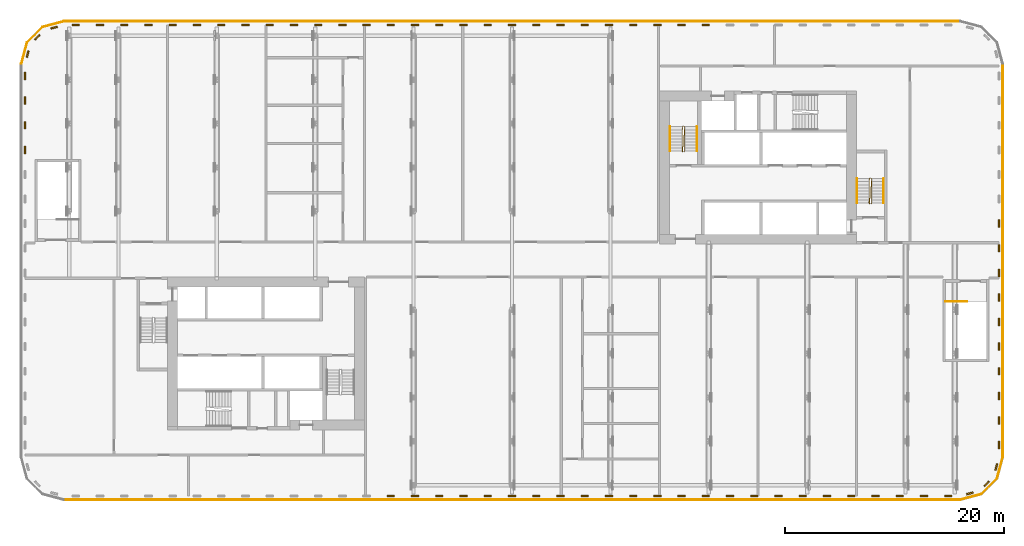
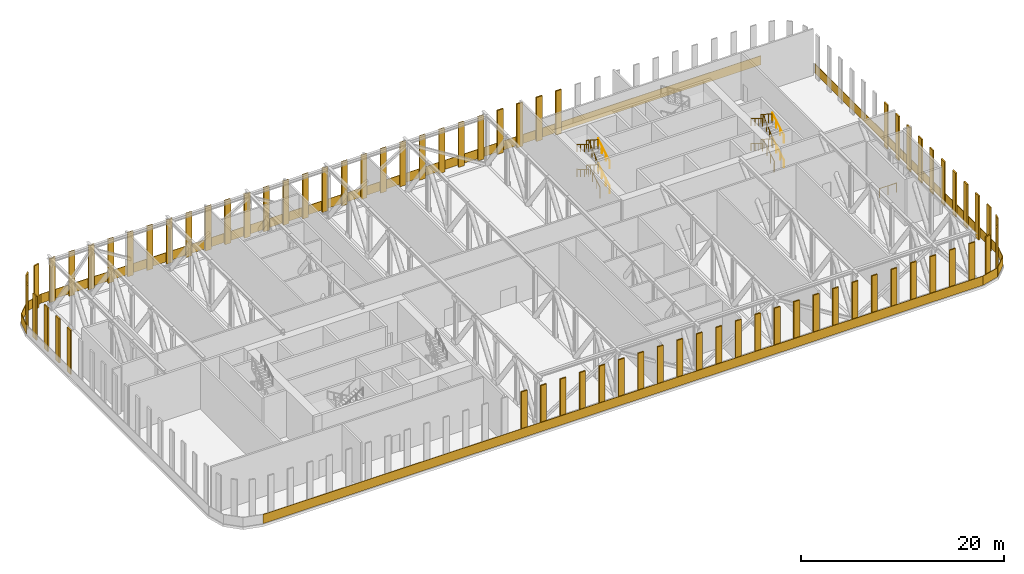
# One storey, part 25 of 26: 71 shading devices, 20 railings.
"""IFC4 building model written with IfcOpenShell, lengths in metres."""

from ifc_helpers import new_model, si_unit, direction, frame, origin, origin_2d, place, context, subcontext, project, spatial, polyline, rectangle, circle, outline, extrude, material, type_object, element, save


model = new_model("IFC4")

# Units and contexts
model_context = context("Model", 3, precision=1e-05, world=origin(), true_north=direction((0.0, 1.0)))
body_context = subcontext(model_context, "Body", "Model", "MODEL_VIEW")
ifc_project = project(units=[si_unit("LENGTHUNIT", "METRE"), si_unit("AREAUNIT", "SQUARE_METRE"), si_unit("VOLUMEUNIT", "CUBIC_METRE"), si_unit("PLANEANGLEUNIT", "RADIAN"), si_unit("MASSUNIT", "GRAM", prefix="KILO")], contexts=[model_context])

# Site, building, storey
site_placement = place(None, origin())
site = spatial("IfcSite", under=ifc_project, at=site_placement, CompositionType="ELEMENT")
building_placement = place(site_placement, origin())
building = spatial("IfcBuilding", under=site, at=building_placement, Name="Kajstack Hotel Tower", CompositionType="ELEMENT")
storey_placement = place(building_placement, frame((0.0, 0.0, 47.0)))
storey = spatial("IfcBuildingStorey", under=building, at=storey_placement, Name="L07", CompositionType="ELEMENT", Elevation=47.0)

# Railings
ifc_material = material(Name="Steel S355J2", Category="steel")
railing_type_1 = type_object("IfcRailingType", Name="GUARD-FACADE", PredefinedType="GUARDRAIL", material=ifc_material)
railing_1_placement = place(storey_placement, frame((-40.984130859375, -21.8798828125, 0.0)))
element("IfcRailing", 1, at=railing_1_placement, inside=storey, type_object=railing_type_1, Name="Guard L07 slab edge 03", PredefinedType="GUARDRAIL", context=body_context, shape_type="SweptSolid", body=[
    extrude(outline(polyline([(81.96826171875, 0.030029296875), (81.96826171875, -0.030029296875), (0.0, -0.030029296875), (0.0, 0.030029296875), (81.96826171875, 0.030029296875)])), origin(), (0.0, 0.0, 1.0), 1.10009765625),
])
railing_2_placement = place(storey_placement, frame((40.984130859375, -21.8798828125, 0.0)))
element("IfcRailing", 2, at=railing_2_placement, inside=storey, type_object=railing_type_1, Name="Guard L07 slab edge 04", PredefinedType="GUARDRAIL", context=body_context, shape_type="SweptSolid", body=[
    extrude(outline(polyline([(1.946044921875, 0.552490234375), (1.961669921875, 0.494384765625), (0.0078125, -0.029052734375), (-0.0078125, 0.029052734375), (1.946044921875, 0.552490234375)])), origin(), (0.0, 0.0, 1.0), 1.10009765625),
])
railing_3_placement = place(storey_placement, frame((42.93798828125, -21.3564453125, 0.0)))
element("IfcRailing", 3, at=railing_3_placement, inside=storey, type_object=railing_type_1, Name="Guard L07 slab edge 05", PredefinedType="GUARDRAIL", context=body_context, shape_type="SweptSolid", body=[
    extrude(outline(polyline([(1.397216796875, 1.439697265625), (1.439697265625, 1.397216796875), (0.021240234375, -0.021240234375), (-0.021240234375, 0.021240234375), (1.397216796875, 1.439697265625)])), origin(), (0.0, 0.0, 1.0), 1.10009765625),
])
railing_4_placement = place(storey_placement, frame((44.3564453125, -19.93798828125, 0.0)))
element("IfcRailing", 4, at=railing_4_placement, inside=storey, type_object=railing_type_1, Name="Guard L07 slab edge 06", PredefinedType="GUARDRAIL", context=body_context, shape_type="SweptSolid", body=[
    extrude(outline(polyline([(0.494384765625, 1.961669921875), (0.552490234375, 1.946044921875), (0.029052734375, -0.0078125), (-0.029052734375, 0.0078125), (0.494384765625, 1.961669921875)])), origin(), (0.0, 0.0, 1.0), 1.10009765625),
])
railing_5_placement = place(storey_placement, frame((44.8798828125, -17.984130859375, 0.0)))
element("IfcRailing", 5, at=railing_5_placement, inside=storey, type_object=railing_type_1, Name="Guard L07 slab edge 07", PredefinedType="GUARDRAIL", context=body_context, shape_type="SweptSolid", body=[
    extrude(outline(polyline([(-0.030029296875, 35.96826171875), (0.030029296875, 35.96826171875), (0.030029296875, 0.0), (-0.030029296875, 0.0), (-0.030029296875, 35.96826171875)])), origin(), (0.0, 0.0, 1.0), 1.10009765625),
])
railing_6_placement = place(storey_placement, frame((40.984130859375, 21.8798828125, 0.0)))
element("IfcRailing", 6, at=railing_6_placement, inside=storey, type_object=railing_type_1, Name="Guard L07 slab edge 11", PredefinedType="GUARDRAIL", context=body_context, shape_type="SweptSolid", body=[
    extrude(outline(polyline([(-81.96826171875, -0.030029296875), (-81.96826171875, 0.030029296875), (0.0, 0.030029296875), (0.0, -0.030029296875), (-81.96826171875, -0.030029296875)])), origin(), (0.0, 0.0, 1.0), 1.10009765625),
])
railing_7_placement = place(storey_placement, frame((-40.984130859375, 21.8798828125, 0.0)))
element("IfcRailing", 7, at=railing_7_placement, inside=storey, type_object=railing_type_1, Name="Guard L07 slab edge 12", PredefinedType="GUARDRAIL", context=body_context, shape_type="SweptSolid", body=[
    extrude(outline(polyline([(-1.946044921875, -0.552490234375), (-1.961669921875, -0.494384765625), (-0.0078125, 0.029052734375), (0.0078125, -0.029052734375), (-1.946044921875, -0.552490234375)])), origin(), (0.0, 0.0, 1.0), 1.10009765625),
])
railing_8_placement = place(storey_placement, frame((-42.93798828125, 21.3564453125, 0.0)))
element("IfcRailing", 8, at=railing_8_placement, inside=storey, type_object=railing_type_1, Name="Guard L07 slab edge 13", PredefinedType="GUARDRAIL", context=body_context, shape_type="SweptSolid", body=[
    extrude(outline(polyline([(-1.397216796875, -1.439697265625), (-1.439697265625, -1.397216796875), (-0.021240234375, 0.021240234375), (0.021240234375, -0.021240234375), (-1.397216796875, -1.439697265625)])), origin(), (0.0, 0.0, 1.0), 1.10009765625),
])
railing_9_placement = place(storey_placement, frame((-44.3564453125, 19.93798828125, 0.0)))
element("IfcRailing", 9, at=railing_9_placement, inside=storey, type_object=railing_type_1, Name="Guard L07 slab edge 14", PredefinedType="GUARDRAIL", context=body_context, shape_type="SweptSolid", body=[
    extrude(outline(polyline([(-0.494384765625, -1.961669921875), (-0.552490234375, -1.946044921875), (-0.029052734375, 0.0078125), (0.029052734375, -0.0078125), (-0.494384765625, -1.961669921875)])), origin(), (0.0, 0.0, 1.0), 1.10009765625),
])
railing_type_2 = type_object("IfcRailingType", Name="Stair guard 1100", PredefinedType="GUARDRAIL", material=ifc_material)
railing_10_placement = place(storey_placement, frame((32.85009765625, 5.199951171875, 0.0)))
element("IfcRailing", 10, at=railing_10_placement, inside=storey, type_object=railing_type_2, Name="L07 E1 stair guard 1", PredefinedType="GUARDRAIL", context=body_context, shape_type="SweptSolid", body=[
    extrude(circle(Radius=0.02392578125, at=origin_2d()), frame((0.0, 0.0, 1.076171875), z_axis=(0.275041040955, 0.276389281352, 0.920848191041), x_axis=(-0.708833529934, 0.705375805398, 0.0)), (0.0, 0.0, 1.0), 0.18115234375),
    extrude(circle(Radius=0.02392578125, at=origin_2d()), frame((0.0498046875, 0.050048828125, 1.24267578125), z_axis=(0.0, 0.859305625298, 0.511462454469), x_axis=(-1.0, 0.0, 0.0)), (0.0, 0.0, 1.0), 2.606689453125),
    extrude(circle(Radius=0.02392578125, at=origin_2d()), frame((0.0498046875, 2.2900390625, 2.576171875), z_axis=(-0.970072785993, 0.242814311512, 0.0), x_axis=(-0.242814311512, -0.970072785993, 0.0)), (0.0, 0.0, 1.0), 0.2060546875),
    extrude(circle(Radius=0.02392578125, at=origin_2d()), frame((-0.150146484375, 2.340087890625, 2.576171875), z_axis=(-0.01827916782, -0.836383386104, 0.547840034565), x_axis=(0.999761264773, -0.0218497931, 0.0)), (0.0, 0.0, 1.0), 2.738037109375),
    extrude(circle(Radius=0.02392578125, at=origin_2d()), frame((-0.2001953125, 0.050048828125, 4.076171875), z_axis=(0.707106781187, -0.707106781187, 0.0), x_axis=(0.707106781187, 0.707106781187, 0.0)), (0.0, 0.0, 1.0), 0.07080078125),
    extrude(circle(Radius=0.02392578125, at=origin_2d()), frame((-0.150146484375, 0.0, 4.076171875), z_axis=(0.072845657923, 0.83430069758, 0.546475851378), x_axis=(-0.996209839609, 0.086982500921, 0.0)), (0.0, 0.0, 1.0), 2.744873046875),
    extrude(circle(Radius=0.02392578125, at=origin_2d()), frame((0.0498046875, 2.2900390625, 5.576171875), z_axis=(-0.970072785993, 0.242814311512, 0.0), x_axis=(-0.242814311512, -0.970072785993, 0.0)), (0.0, 0.0, 1.0), 0.2060546875),
    extrude(circle(Radius=0.02392578125, at=origin_2d()), frame((-0.150146484375, 2.340087890625, 5.576171875), z_axis=(-0.01827916782, -0.836383386104, 0.547840034565), x_axis=(0.999761264773, -0.0218497931, 0.0)), (0.0, 0.0, 1.0), 2.738037109375),
    extrude(circle(Radius=0.02099609375, at=origin_2d()), origin(), (0.0, 0.0, 1.0), 1.052001953125),
    extrude(circle(Radius=0.02099609375, at=origin_2d()), frame((0.0498046875, 0.050048828125, 0.166748046875)), (0.0, 0.0, 1.0), 1.052001953125),
    extrude(circle(Radius=0.02099609375, at=origin_2d()), frame((0.0498046875, 0.796630859375, 0.611083984375)), (0.0, 0.0, 1.0), 1.052001953125),
    extrude(circle(Radius=0.02099609375, at=origin_2d()), frame((0.0498046875, 1.54345703125, 1.0556640625)), (0.0, 0.0, 1.0), 1.052001953125),
    extrude(circle(Radius=0.02099609375, at=origin_2d()), frame((0.0498046875, 2.2900390625, 1.5)), (0.0, 0.0, 1.0), 1.052001953125),
    extrude(circle(Radius=0.02099609375, at=origin_2d()), frame((-0.150146484375, 2.340087890625, 1.5)), (0.0, 0.0, 1.0), 1.052001953125),
    extrude(circle(Radius=0.02099609375, at=origin_2d()), frame((-0.166748046875, 1.57666015625, 2.0)), (0.0, 0.0, 1.0), 1.052001953125),
    extrude(circle(Radius=0.02099609375, at=origin_2d()), frame((-0.18359375, 0.8134765625, 2.5)), (0.0, 0.0, 1.0), 1.052001953125),
    extrude(circle(Radius=0.02099609375, at=origin_2d()), frame((-0.2001953125, 0.050048828125, 3.0)), (0.0, 0.0, 1.0), 1.052001953125),
    extrude(circle(Radius=0.02099609375, at=origin_2d()), frame((-0.150146484375, 0.0, 3.0)), (0.0, 0.0, 1.0), 1.052001953125),
    extrude(circle(Radius=0.02099609375, at=origin_2d()), frame((-0.08349609375, 0.763427734375, 3.5)), (0.0, 0.0, 1.0), 1.052001953125),
    extrude(circle(Radius=0.02099609375, at=origin_2d()), frame((-0.016845703125, 1.526611328125, 4.0)), (0.0, 0.0, 1.0), 1.052001953125),
    extrude(circle(Radius=0.02099609375, at=origin_2d()), frame((0.0498046875, 2.2900390625, 4.5)), (0.0, 0.0, 1.0), 1.052001953125),
    extrude(circle(Radius=0.02099609375, at=origin_2d()), frame((-0.150146484375, 2.340087890625, 4.5)), (0.0, 0.0, 1.0), 1.052001953125),
    extrude(circle(Radius=0.02099609375, at=origin_2d()), frame((-0.166748046875, 1.57666015625, 5.0)), (0.0, 0.0, 1.0), 1.052001953125),
    extrude(circle(Radius=0.02099609375, at=origin_2d()), frame((-0.18359375, 0.8134765625, 5.5)), (0.0, 0.0, 1.0), 1.052001953125),
    extrude(circle(Radius=0.02099609375, at=origin_2d()), frame((-0.2001953125, 0.050048828125, 6.0)), (0.0, 0.0, 1.0), 1.052001953125),
])
railing_11_placement = place(storey_placement, frame((15.75, 9.949951171875, 0.0)))
element("IfcRailing", 11, at=railing_11_placement, inside=storey, type_object=railing_type_2, Name="L07 E2 stair guard 1", PredefinedType="GUARDRAIL", context=body_context, shape_type="SweptSolid", body=[
    extrude(circle(Radius=0.02392578125, at=origin_2d()), frame((0.0, 0.0, 1.076171875), z_axis=(0.27628659633, 0.27628659633, 0.920506074601), x_axis=(-0.707106781187, 0.707106781187, 0.0)), (0.0, 0.0, 1.0), 0.18115234375),
    extrude(circle(Radius=0.02392578125, at=origin_2d()), frame((0.050048828125, 0.050048828125, 1.24267578125), z_axis=(0.0, 0.859305625298, 0.511462454469), x_axis=(-1.0, 0.0, 0.0)), (0.0, 0.0, 1.0), 2.606689453125),
    extrude(circle(Radius=0.02392578125, at=origin_2d()), frame((0.050048828125, 2.2900390625, 2.576171875), z_axis=(-0.970072785993, 0.242814311512, 0.0), x_axis=(-0.242814311512, -0.970072785993, 0.0)), (0.0, 0.0, 1.0), 0.2060546875),
    extrude(circle(Radius=0.02392578125, at=origin_2d()), frame((-0.14990234375, 2.340087890625, 2.576171875), z_axis=(-0.01827916782, -0.836383386104, 0.547840034565), x_axis=(0.999761264773, -0.0218497931, 0.0)), (0.0, 0.0, 1.0), 2.738037109375),
    extrude(circle(Radius=0.02392578125, at=origin_2d()), frame((-0.199951171875, 0.050048828125, 4.076171875), z_axis=(0.707106781187, -0.707106781187, 0.0), x_axis=(0.707106781187, 0.707106781187, 0.0)), (0.0, 0.0, 1.0), 0.07080078125),
    extrude(circle(Radius=0.02392578125, at=origin_2d()), frame((-0.14990234375, 0.0, 4.076171875), z_axis=(0.072845657923, 0.83430069758, 0.546475851378), x_axis=(-0.996209839609, 0.086982500921, 0.0)), (0.0, 0.0, 1.0), 2.744873046875),
    extrude(circle(Radius=0.02392578125, at=origin_2d()), frame((0.050048828125, 2.2900390625, 5.576171875), z_axis=(-0.970072785993, 0.242814311512, 0.0), x_axis=(-0.242814311512, -0.970072785993, 0.0)), (0.0, 0.0, 1.0), 0.2060546875),
    extrude(circle(Radius=0.02392578125, at=origin_2d()), frame((-0.14990234375, 2.340087890625, 5.576171875), z_axis=(-0.01827916782, -0.836383386104, 0.547840034565), x_axis=(0.999761264773, -0.0218497931, 0.0)), (0.0, 0.0, 1.0), 2.738037109375),
    extrude(circle(Radius=0.02099609375, at=origin_2d()), origin(), (0.0, 0.0, 1.0), 1.052001953125),
    extrude(circle(Radius=0.02099609375, at=origin_2d()), frame((0.050048828125, 0.050048828125, 0.166748046875)), (0.0, 0.0, 1.0), 1.052001953125),
    extrude(circle(Radius=0.02099609375, at=origin_2d()), frame((0.050048828125, 0.796630859375, 0.611083984375)), (0.0, 0.0, 1.0), 1.052001953125),
    extrude(circle(Radius=0.02099609375, at=origin_2d()), frame((0.050048828125, 1.54345703125, 1.0556640625)), (0.0, 0.0, 1.0), 1.052001953125),
    extrude(circle(Radius=0.02099609375, at=origin_2d()), frame((0.050048828125, 2.2900390625, 1.5)), (0.0, 0.0, 1.0), 1.052001953125),
    extrude(circle(Radius=0.02099609375, at=origin_2d()), frame((-0.14990234375, 2.340087890625, 1.5)), (0.0, 0.0, 1.0), 1.052001953125),
    extrude(circle(Radius=0.02099609375, at=origin_2d()), frame((-0.16650390625, 1.57666015625, 2.0)), (0.0, 0.0, 1.0), 1.052001953125),
    extrude(circle(Radius=0.02099609375, at=origin_2d()), frame((-0.183349609375, 0.8134765625, 2.5)), (0.0, 0.0, 1.0), 1.052001953125),
    extrude(circle(Radius=0.02099609375, at=origin_2d()), frame((-0.199951171875, 0.050048828125, 3.0)), (0.0, 0.0, 1.0), 1.052001953125),
    extrude(circle(Radius=0.02099609375, at=origin_2d()), frame((-0.14990234375, 0.0, 3.0)), (0.0, 0.0, 1.0), 1.052001953125),
    extrude(circle(Radius=0.02099609375, at=origin_2d()), frame((-0.083251953125, 0.763427734375, 3.5)), (0.0, 0.0, 1.0), 1.052001953125),
    extrude(circle(Radius=0.02099609375, at=origin_2d()), frame((-0.0166015625, 1.526611328125, 4.0)), (0.0, 0.0, 1.0), 1.052001953125),
    extrude(circle(Radius=0.02099609375, at=origin_2d()), frame((0.050048828125, 2.2900390625, 4.5)), (0.0, 0.0, 1.0), 1.052001953125),
    extrude(circle(Radius=0.02099609375, at=origin_2d()), frame((-0.14990234375, 2.340087890625, 4.5)), (0.0, 0.0, 1.0), 1.052001953125),
    extrude(circle(Radius=0.02099609375, at=origin_2d()), frame((-0.16650390625, 1.57666015625, 5.0)), (0.0, 0.0, 1.0), 1.052001953125),
    extrude(circle(Radius=0.02099609375, at=origin_2d()), frame((-0.183349609375, 0.8134765625, 5.5)), (0.0, 0.0, 1.0), 1.052001953125),
    extrude(circle(Radius=0.02099609375, at=origin_2d()), frame((-0.199951171875, 0.050048828125, 6.0)), (0.0, 0.0, 1.0), 1.052001953125),
])
railing_12_placement = place(storey_placement, frame((39.64990234375, -3.75, 0.0)))
element("IfcRailing", 12, at=railing_12_placement, inside=storey, type_object=railing_type_2, Name="L07 P2 top well guard 1", PredefinedType="GUARDRAIL", context=body_context, shape_type="SweptSolid", body=[
    extrude(circle(Radius=0.02392578125, at=origin_2d()), frame((0.0, 0.0, 1.076171875), z_axis=(1.0, 0.0, 0.0), x_axis=(0.0, 1.0, 0.0)), (0.0, 0.0, 1.0), 1.9501953125),
    extrude(circle(Radius=0.02099609375, at=origin_2d()), origin(), (0.0, 0.0, 1.0), 1.052001953125),
    extrude(circle(Radius=0.02099609375, at=origin_2d()), frame((0.97509765625, 0.0, 0.0)), (0.0, 0.0, 1.0), 1.052001953125),
    extrude(circle(Radius=0.02099609375, at=origin_2d()), frame((1.9501953125, 0.0, 0.0)), (0.0, 0.0, 1.0), 1.052001953125),
])
railing_type_3 = type_object("IfcRailingType", Name="Stair handrail 900", PredefinedType="HANDRAIL", material=ifc_material)
railing_13_placement = place(storey_placement, frame((34.0, 5.25, 0.166748046875)))
element("IfcRailing", 13, at=railing_13_placement, inside=storey, type_object=railing_type_3, Name="L07 E1 stair handrail 1", PredefinedType="HANDRAIL", context=body_context, shape_type="SweptSolid", body=[
    extrude(circle(Radius=0.02392578125, at=origin_2d()), frame((0.0, 0.0, 0.8759765625), z_axis=(0.0, 0.859305625298, 0.511462454469), x_axis=(-1.0, 0.0, 0.0)), (0.0, 0.0, 1.0), 2.606689453125),
    extrude(circle(Radius=0.02099609375, at=origin_2d()), origin(), (0.0, 0.0, 1.0), 0.851806640625),
    extrude(circle(Radius=0.02099609375, at=origin_2d()), frame((0.0, 0.74658203125, 0.4443359375)), (0.0, 0.0, 1.0), 0.851806640625),
    extrude(circle(Radius=0.02099609375, at=origin_2d()), frame((0.0, 1.493408203125, 0.888916015625)), (0.0, 0.0, 1.0), 0.851806640625),
    extrude(circle(Radius=0.02099609375, at=origin_2d()), frame((0.0, 2.239990234375, 1.333251953125)), (0.0, 0.0, 1.0), 0.851806640625),
])
railing_14_placement = place(storey_placement, frame((31.550048828125, 7.489990234375, 1.666748046875)))
element("IfcRailing", 14, at=railing_14_placement, inside=storey, type_object=railing_type_3, Name="L07 E1 stair handrail 2", PredefinedType="HANDRAIL", context=body_context, shape_type="SweptSolid", body=[
    extrude(circle(Radius=0.02392578125, at=origin_2d()), frame((0.0, 0.0, 0.8759765625), z_axis=(0.0, -0.859305625298, 0.511462454469), x_axis=(1.0, 0.0, 0.0)), (0.0, 0.0, 1.0), 2.606689453125),
    extrude(circle(Radius=0.02099609375, at=origin_2d()), origin(), (0.0, 0.0, 1.0), 0.851806640625),
    extrude(circle(Radius=0.02099609375, at=origin_2d()), frame((0.0, -0.74658203125, 0.4443359375)), (0.0, 0.0, 1.0), 0.851806640625),
    extrude(circle(Radius=0.02099609375, at=origin_2d()), frame((0.0, -1.493408203125, 0.888916015625)), (0.0, 0.0, 1.0), 0.851806640625),
    extrude(circle(Radius=0.02099609375, at=origin_2d()), frame((0.0, -2.239990234375, 1.333251953125)), (0.0, 0.0, 1.0), 0.851806640625),
])
railing_15_placement = place(storey_placement, frame((34.0, 5.25, 3.166748046875)))
element("IfcRailing", 15, at=railing_15_placement, inside=storey, type_object=railing_type_3, Name="L07 E1 stair handrail 3", PredefinedType="HANDRAIL", context=body_context, shape_type="SweptSolid", body=[
    extrude(circle(Radius=0.02392578125, at=origin_2d()), frame((0.0, 0.0, 0.8759765625), z_axis=(0.0, 0.859305625298, 0.511462454469), x_axis=(-1.0, 0.0, 0.0)), (0.0, 0.0, 1.0), 2.606689453125),
    extrude(circle(Radius=0.02099609375, at=origin_2d()), origin(), (0.0, 0.0, 1.0), 0.851806640625),
    extrude(circle(Radius=0.02099609375, at=origin_2d()), frame((0.0, 0.74658203125, 0.4443359375)), (0.0, 0.0, 1.0), 0.851806640625),
    extrude(circle(Radius=0.02099609375, at=origin_2d()), frame((0.0, 1.493408203125, 0.888916015625)), (0.0, 0.0, 1.0), 0.851806640625),
    extrude(circle(Radius=0.02099609375, at=origin_2d()), frame((0.0, 2.239990234375, 1.333251953125)), (0.0, 0.0, 1.0), 0.851806640625),
])
railing_16_placement = place(storey_placement, frame((31.550048828125, 7.489990234375, 4.666748046875)))
element("IfcRailing", 16, at=railing_16_placement, inside=storey, type_object=railing_type_3, Name="L07 E1 stair handrail 4", PredefinedType="HANDRAIL", context=body_context, shape_type="SweptSolid", body=[
    extrude(circle(Radius=0.02392578125, at=origin_2d()), frame((0.0, 0.0, 0.8759765625), z_axis=(0.0, -0.859305625298, 0.511462454469), x_axis=(1.0, 0.0, 0.0)), (0.0, 0.0, 1.0), 2.606689453125),
    extrude(circle(Radius=0.02099609375, at=origin_2d()), origin(), (0.0, 0.0, 1.0), 0.851806640625),
    extrude(circle(Radius=0.02099609375, at=origin_2d()), frame((0.0, -0.74658203125, 0.4443359375)), (0.0, 0.0, 1.0), 0.851806640625),
    extrude(circle(Radius=0.02099609375, at=origin_2d()), frame((0.0, -1.493408203125, 0.888916015625)), (0.0, 0.0, 1.0), 0.851806640625),
    extrude(circle(Radius=0.02099609375, at=origin_2d()), frame((0.0, -2.239990234375, 1.333251953125)), (0.0, 0.0, 1.0), 0.851806640625),
])
railing_17_placement = place(storey_placement, frame((16.89990234375, 10.0, 0.166748046875)))
element("IfcRailing", 17, at=railing_17_placement, inside=storey, type_object=railing_type_3, Name="L07 E2 stair handrail 1", PredefinedType="HANDRAIL", context=body_context, shape_type="SweptSolid", body=[
    extrude(circle(Radius=0.02392578125, at=origin_2d()), frame((0.0, 0.0, 0.8759765625), z_axis=(0.0, 0.859305625298, 0.511462454469), x_axis=(-1.0, 0.0, 0.0)), (0.0, 0.0, 1.0), 2.606689453125),
    extrude(circle(Radius=0.02099609375, at=origin_2d()), origin(), (0.0, 0.0, 1.0), 0.851806640625),
    extrude(circle(Radius=0.02099609375, at=origin_2d()), frame((0.0, 0.74658203125, 0.4443359375)), (0.0, 0.0, 1.0), 0.851806640625),
    extrude(circle(Radius=0.02099609375, at=origin_2d()), frame((0.0, 1.493408203125, 0.888916015625)), (0.0, 0.0, 1.0), 0.851806640625),
    extrude(circle(Radius=0.02099609375, at=origin_2d()), frame((0.0, 2.239990234375, 1.333251953125)), (0.0, 0.0, 1.0), 0.851806640625),
])
railing_18_placement = place(storey_placement, frame((14.449951171875, 12.239990234375, 1.666748046875)))
element("IfcRailing", 18, at=railing_18_placement, inside=storey, type_object=railing_type_3, Name="L07 E2 stair handrail 2", PredefinedType="HANDRAIL", context=body_context, shape_type="SweptSolid", body=[
    extrude(circle(Radius=0.02392578125, at=origin_2d()), frame((0.0, 0.0, 0.8759765625), z_axis=(0.0, -0.859305625298, 0.511462454469), x_axis=(1.0, 0.0, 0.0)), (0.0, 0.0, 1.0), 2.606689453125),
    extrude(circle(Radius=0.02099609375, at=origin_2d()), origin(), (0.0, 0.0, 1.0), 0.851806640625),
    extrude(circle(Radius=0.02099609375, at=origin_2d()), frame((0.0, -0.74658203125, 0.4443359375)), (0.0, 0.0, 1.0), 0.851806640625),
    extrude(circle(Radius=0.02099609375, at=origin_2d()), frame((0.0, -1.493408203125, 0.888916015625)), (0.0, 0.0, 1.0), 0.851806640625),
    extrude(circle(Radius=0.02099609375, at=origin_2d()), frame((0.0, -2.239990234375, 1.333251953125)), (0.0, 0.0, 1.0), 0.851806640625),
])
railing_19_placement = place(storey_placement, frame((16.89990234375, 10.0, 3.166748046875)))
element("IfcRailing", 19, at=railing_19_placement, inside=storey, type_object=railing_type_3, Name="L07 E2 stair handrail 3", PredefinedType="HANDRAIL", context=body_context, shape_type="SweptSolid", body=[
    extrude(circle(Radius=0.02392578125, at=origin_2d()), frame((0.0, 0.0, 0.8759765625), z_axis=(0.0, 0.859305625298, 0.511462454469), x_axis=(-1.0, 0.0, 0.0)), (0.0, 0.0, 1.0), 2.606689453125),
    extrude(circle(Radius=0.02099609375, at=origin_2d()), origin(), (0.0, 0.0, 1.0), 0.851806640625),
    extrude(circle(Radius=0.02099609375, at=origin_2d()), frame((0.0, 0.74658203125, 0.4443359375)), (0.0, 0.0, 1.0), 0.851806640625),
    extrude(circle(Radius=0.02099609375, at=origin_2d()), frame((0.0, 1.493408203125, 0.888916015625)), (0.0, 0.0, 1.0), 0.851806640625),
    extrude(circle(Radius=0.02099609375, at=origin_2d()), frame((0.0, 2.239990234375, 1.333251953125)), (0.0, 0.0, 1.0), 0.851806640625),
])
railing_20_placement = place(storey_placement, frame((14.449951171875, 12.239990234375, 4.666748046875)))
element("IfcRailing", 20, at=railing_20_placement, inside=storey, type_object=railing_type_3, Name="L07 E2 stair handrail 4", PredefinedType="HANDRAIL", context=body_context, shape_type="SweptSolid", body=[
    extrude(circle(Radius=0.02392578125, at=origin_2d()), frame((0.0, 0.0, 0.8759765625), z_axis=(0.0, -0.859305625298, 0.511462454469), x_axis=(1.0, 0.0, 0.0)), (0.0, 0.0, 1.0), 2.606689453125),
    extrude(circle(Radius=0.02099609375, at=origin_2d()), origin(), (0.0, 0.0, 1.0), 0.851806640625),
    extrude(circle(Radius=0.02099609375, at=origin_2d()), frame((0.0, -0.74658203125, 0.4443359375)), (0.0, 0.0, 1.0), 0.851806640625),
    extrude(circle(Radius=0.02099609375, at=origin_2d()), frame((0.0, -1.493408203125, 0.888916015625)), (0.0, 0.0, 1.0), 0.851806640625),
    extrude(circle(Radius=0.02099609375, at=origin_2d()), frame((0.0, -2.239990234375, 1.333251953125)), (0.0, 0.0, 1.0), 0.851806640625),
])

# Shading devices
for number, where, z_axis, x_axis, name in (
    (21, (-11.0810546875, -21.550048828125, 0.0), (0.0, 0.0, 1.0), (1.0, 0.0, 0.0), "Screen L07-03-14"),
    (22, (-8.86474609375, -21.550048828125, 0.0), (0.0, 0.0, 1.0), (1.0, 0.0, 0.0), "Screen L07-03-15"),
    (23, (-6.648681640625, -21.550048828125, 0.0), (0.0, 0.0, 1.0), (1.0, 0.0, 0.0), "Screen L07-03-16"),
    (24, (-4.432373046875, -21.550048828125, 0.0), (0.0, 0.0, 1.0), (1.0, 0.0, 0.0), "Screen L07-03-17"),
    (25, (-2.21630859375, -21.550048828125, 0.0), (0.0, 0.0, 1.0), (1.0, 0.0, 0.0), "Screen L07-03-18"),
    (26, (0.0, -21.550048828125, 0.0), (0.0, 0.0, 1.0), (1.0, 0.0, 0.0), "Screen L07-03-19"),
    (27, (2.21630859375, -21.550048828125, 0.0), (0.0, 0.0, 1.0), (1.0, 0.0, 0.0), "Screen L07-03-20"),
    (28, (4.432373046875, -21.550048828125, 0.0), (0.0, 0.0, 1.0), (1.0, 0.0, 0.0), "Screen L07-03-21"),
    (29, (6.648681640625, -21.550048828125, 0.0), (0.0, 0.0, 1.0), (1.0, 0.0, 0.0), "Screen L07-03-22"),
    (30, (8.86474609375, -21.550048828125, 0.0), (0.0, 0.0, 1.0), (1.0, 0.0, 0.0), "Screen L07-03-23"),
    (31, (11.0810546875, -21.550048828125, 0.0), (0.0, 0.0, 1.0), (1.0, 0.0, 0.0), "Screen L07-03-24"),
    (32, (13.29736328125, -21.550048828125, 0.0), (0.0, 0.0, 1.0), (1.0, 0.0, 0.0), "Screen L07-03-25"),
    (33, (15.513427734375, -21.550048828125, 0.0), (0.0, 0.0, 1.0), (1.0, 0.0, 0.0), "Screen L07-03-26"),
    (34, (17.729736328125, -21.550048828125, 0.0), (0.0, 0.0, 1.0), (1.0, 0.0, 0.0), "Screen L07-03-27"),
    (35, (19.946044921875, -21.550048828125, 0.0), (0.0, 0.0, 1.0), (1.0, 0.0, 0.0), "Screen L07-03-28"),
    (36, (22.162109375, -21.550048828125, 0.0), (0.0, 0.0, 1.0), (1.0, 0.0, 0.0), "Screen L07-03-29"),
    (37, (24.37841796875, -21.550048828125, 0.0), (0.0, 0.0, 1.0), (1.0, 0.0, 0.0), "Screen L07-03-30"),
    (38, (26.594482421875, -21.550048828125, 0.0), (0.0, 0.0, 1.0), (1.0, 0.0, 0.0), "Screen L07-03-31"),
    (39, (28.810791015625, -21.550048828125, 0.0), (0.0, 0.0, 1.0), (1.0, 0.0, 0.0), "Screen L07-03-32"),
    (40, (31.027099609375, -21.550048828125, 0.0), (0.0, 0.0, 1.0), (1.0, 0.0, 0.0), "Screen L07-03-33"),
    (41, (33.2431640625, -21.550048828125, 0.0), (0.0, 0.0, 1.0), (1.0, 0.0, 0.0), "Screen L07-03-34"),
    (42, (35.45947265625, -21.550048828125, 0.0), (0.0, 0.0, 1.0), (1.0, 0.0, 0.0), "Screen L07-03-35"),
    (43, (37.67578125, -21.550048828125, 0.0), (0.0, 0.0, 1.0), (1.0, 0.0, 0.0), "Screen L07-03-36"),
    (44, (39.891845703125, -21.550048828125, 0.0), (0.0, 0.0, 1.0), (1.0, 0.0, 0.0), "Screen L07-03-37"),
):
    element("IfcShadingDevice", number, at=place(storey_placement, frame(where, z_axis=z_axis, x_axis=x_axis)), inside=storey, Name=name, ObjectType="SCREEN", PredefinedType="USERDEFINED", context=body_context, shape_type="SweptSolid", body=[
        extrude(rectangle(XDim=0.664794921875, YDim=0.14990234375, at=origin_2d()), origin(), (0.0, 0.0, 1.0), 5.300048828125),
    ])
for number, where, z_axis, x_axis, name in (
    (45, (41.883544921875, -21.29736328125, 0.0), (0.0, 0.0, 1.0), (0.965925632047, 0.258819770022, 0.0), "Screen L07-04-01"),
    (46, (43.413818359375, -20.413818359375, 0.0), (0.0, 0.0, 1.0), (0.707106781187, 0.707106781187, 0.0), "Screen L07-05-01"),
    (47, (44.29736328125, -18.883544921875, 0.0), (0.0, 0.0, 1.0), (0.258819770022, 0.965925632047, 0.0), "Screen L07-06-01"),
):
    element("IfcShadingDevice", number, at=place(storey_placement, frame(where, z_axis=z_axis, x_axis=x_axis)), inside=storey, Name=name, ObjectType="SCREEN", PredefinedType="USERDEFINED", context=body_context, shape_type="SweptSolid", body=[
        extrude(rectangle(XDim=0.62109375, YDim=0.14990234375, at=origin_2d()), origin(), (0.0, 0.0, 1.0), 5.300048828125),
    ])
for number, where, z_axis, x_axis, name in (
    (48, (44.550048828125, -16.875, 0.0), (0.0, 0.0, 1.0), (0.0, 1.0, 0.0), "Screen L07-07-01"),
    (49, (44.550048828125, -14.625, 0.0), (0.0, 0.0, 1.0), (0.0, 1.0, 0.0), "Screen L07-07-02"),
    (50, (44.550048828125, -12.375, 0.0), (0.0, 0.0, 1.0), (0.0, 1.0, 0.0), "Screen L07-07-03"),
    (51, (44.550048828125, -10.125, 0.0), (0.0, 0.0, 1.0), (0.0, 1.0, 0.0), "Screen L07-07-04"),
    (52, (44.550048828125, -7.875, 0.0), (0.0, 0.0, 1.0), (0.0, 1.0, 0.0), "Screen L07-07-05"),
    (53, (44.550048828125, -5.625, 0.0), (0.0, 0.0, 1.0), (0.0, 1.0, 0.0), "Screen L07-07-06"),
    (54, (44.550048828125, -3.375, 0.0), (0.0, 0.0, 1.0), (0.0, 1.0, 0.0), "Screen L07-07-07"),
    (55, (44.550048828125, -1.125, 0.0), (0.0, 0.0, 1.0), (0.0, 1.0, 0.0), "Screen L07-07-08"),
    (56, (44.550048828125, 1.125, 0.0), (0.0, 0.0, 1.0), (0.0, 1.0, 0.0), "Screen L07-07-09"),
    (57, (44.550048828125, 3.375, 0.0), (0.0, 0.0, 1.0), (0.0, 1.0, 0.0), "Screen L07-07-10"),
):
    element("IfcShadingDevice", number, at=place(storey_placement, frame(where, z_axis=z_axis, x_axis=x_axis)), inside=storey, Name=name, ObjectType="SCREEN", PredefinedType="USERDEFINED", context=body_context, shape_type="SweptSolid", body=[
        extrude(rectangle(XDim=0.675048828125, YDim=0.14990234375, at=origin_2d()), origin(), (0.0, 0.0, 1.0), 5.300048828125),
    ])
for number, where, z_axis, x_axis, name in (
    (58, (17.729736328125, 21.550048828125, 0.0), (0.0, 0.0, 1.0), (-1.0, 0.0, 0.0), "Screen L07-11-11"),
    (59, (15.513427734375, 21.550048828125, 0.0), (0.0, 0.0, 1.0), (-1.0, 0.0, 0.0), "Screen L07-11-12"),
    (60, (13.29736328125, 21.550048828125, 0.0), (0.0, 0.0, 1.0), (-1.0, 0.0, 0.0), "Screen L07-11-13"),
    (61, (11.0810546875, 21.550048828125, 0.0), (0.0, 0.0, 1.0), (-1.0, 0.0, 0.0), "Screen L07-11-14"),
    (62, (8.86474609375, 21.550048828125, 0.0), (0.0, 0.0, 1.0), (-1.0, 0.0, 0.0), "Screen L07-11-15"),
    (63, (6.648681640625, 21.550048828125, 0.0), (0.0, 0.0, 1.0), (-1.0, 0.0, 0.0), "Screen L07-11-16"),
    (64, (4.432373046875, 21.550048828125, 0.0), (0.0, 0.0, 1.0), (-1.0, 0.0, 0.0), "Screen L07-11-17"),
    (65, (2.21630859375, 21.550048828125, 0.0), (0.0, 0.0, 1.0), (-1.0, 0.0, 0.0), "Screen L07-11-18"),
    (66, (0.0, 21.550048828125, 0.0), (0.0, 0.0, 1.0), (-1.0, 0.0, 0.0), "Screen L07-11-19"),
    (67, (-2.21630859375, 21.550048828125, 0.0), (0.0, 0.0, 1.0), (-1.0, 0.0, 0.0), "Screen L07-11-20"),
    (68, (-4.432373046875, 21.550048828125, 0.0), (0.0, 0.0, 1.0), (-1.0, 0.0, 0.0), "Screen L07-11-21"),
    (69, (-6.648681640625, 21.550048828125, 0.0), (0.0, 0.0, 1.0), (-1.0, 0.0, 0.0), "Screen L07-11-22"),
    (70, (-8.86474609375, 21.550048828125, 0.0), (0.0, 0.0, 1.0), (-1.0, 0.0, 0.0), "Screen L07-11-23"),
    (71, (-11.0810546875, 21.550048828125, 0.0), (0.0, 0.0, 1.0), (-1.0, 0.0, 0.0), "Screen L07-11-24"),
    (72, (-13.29736328125, 21.550048828125, 0.0), (0.0, 0.0, 1.0), (-1.0, 0.0, 0.0), "Screen L07-11-25"),
    (73, (-15.513427734375, 21.550048828125, 0.0), (0.0, 0.0, 1.0), (-1.0, 0.0, 0.0), "Screen L07-11-26"),
    (74, (-17.729736328125, 21.550048828125, 0.0), (0.0, 0.0, 1.0), (-1.0, 0.0, 0.0), "Screen L07-11-27"),
    (75, (-19.946044921875, 21.550048828125, 0.0), (0.0, 0.0, 1.0), (-1.0, 0.0, 0.0), "Screen L07-11-28"),
    (76, (-22.162109375, 21.550048828125, 0.0), (0.0, 0.0, 1.0), (-1.0, 0.0, 0.0), "Screen L07-11-29"),
    (77, (-24.37841796875, 21.550048828125, 0.0), (0.0, 0.0, 1.0), (-1.0, 0.0, 0.0), "Screen L07-11-30"),
    (78, (-26.594482421875, 21.550048828125, 0.0), (0.0, 0.0, 1.0), (-1.0, 0.0, 0.0), "Screen L07-11-31"),
    (79, (-28.810791015625, 21.550048828125, 0.0), (0.0, 0.0, 1.0), (-1.0, 0.0, 0.0), "Screen L07-11-32"),
    (80, (-31.027099609375, 21.550048828125, 0.0), (0.0, 0.0, 1.0), (-1.0, 0.0, 0.0), "Screen L07-11-33"),
    (81, (-33.2431640625, 21.550048828125, 0.0), (0.0, 0.0, 1.0), (-1.0, 0.0, 0.0), "Screen L07-11-34"),
    (82, (-35.45947265625, 21.550048828125, 0.0), (0.0, 0.0, 1.0), (-1.0, 0.0, 0.0), "Screen L07-11-35"),
    (83, (-37.67578125, 21.550048828125, 0.0), (0.0, 0.0, 1.0), (-1.0, 0.0, 0.0), "Screen L07-11-36"),
    (84, (-39.891845703125, 21.550048828125, 0.0), (0.0, 0.0, 1.0), (-1.0, 0.0, 0.0), "Screen L07-11-37"),
):
    element("IfcShadingDevice", number, at=place(storey_placement, frame(where, z_axis=z_axis, x_axis=x_axis)), inside=storey, Name=name, ObjectType="SCREEN", PredefinedType="USERDEFINED", context=body_context, shape_type="SweptSolid", body=[
        extrude(rectangle(XDim=0.664794921875, YDim=0.14990234375, at=origin_2d()), origin(), (0.0, 0.0, 1.0), 5.300048828125),
    ])
for number, where, z_axis, x_axis, name in (
    (85, (-41.883544921875, 21.29736328125, 0.0), (0.0, 0.0, 1.0), (-0.965925632047, -0.258819770022, 0.0), "Screen L07-12-01"),
    (86, (-43.413818359375, 20.413818359375, 0.0), (0.0, 0.0, 1.0), (-0.707106781187, -0.707106781187, 0.0), "Screen L07-13-01"),
    (87, (-44.29736328125, 18.883544921875, 0.0), (0.0, 0.0, 1.0), (-0.258819770022, -0.965925632047, 0.0), "Screen L07-14-01"),
):
    element("IfcShadingDevice", number, at=place(storey_placement, frame(where, z_axis=z_axis, x_axis=x_axis)), inside=storey, Name=name, ObjectType="SCREEN", PredefinedType="USERDEFINED", context=body_context, shape_type="SweptSolid", body=[
        extrude(rectangle(XDim=0.62109375, YDim=0.14990234375, at=origin_2d()), origin(), (0.0, 0.0, 1.0), 5.300048828125),
    ])
for number, where, z_axis, x_axis, name in (
    (88, (-44.550048828125, 16.875, 0.0), (0.0, 0.0, 1.0), (0.0, -1.0, 0.0), "Screen L07-15-01"),
    (89, (-44.550048828125, 14.625, 0.0), (0.0, 0.0, 1.0), (0.0, -1.0, 0.0), "Screen L07-15-02"),
    (90, (-44.550048828125, 12.375, 0.0), (0.0, 0.0, 1.0), (0.0, -1.0, 0.0), "Screen L07-15-03"),
    (91, (-44.550048828125, 10.125, 0.0), (0.0, 0.0, 1.0), (0.0, -1.0, 0.0), "Screen L07-15-04"),
):
    element("IfcShadingDevice", number, at=place(storey_placement, frame(where, z_axis=z_axis, x_axis=x_axis)), inside=storey, Name=name, ObjectType="SCREEN", PredefinedType="USERDEFINED", context=body_context, shape_type="SweptSolid", body=[
        extrude(rectangle(XDim=0.675048828125, YDim=0.14990234375, at=origin_2d()), origin(), (0.0, 0.0, 1.0), 5.300048828125),
    ])

save(model, "model.ifc")
